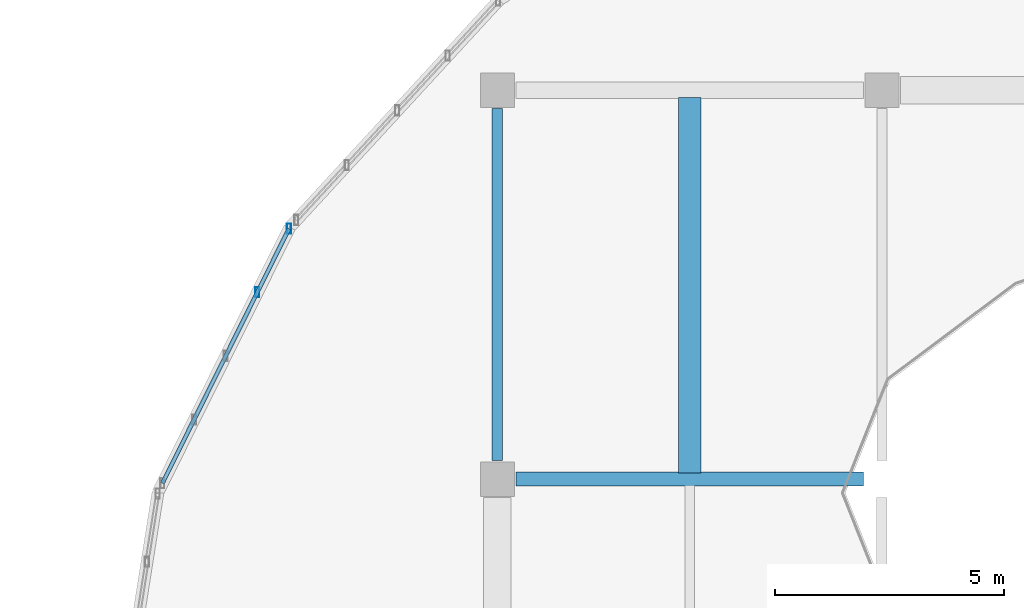
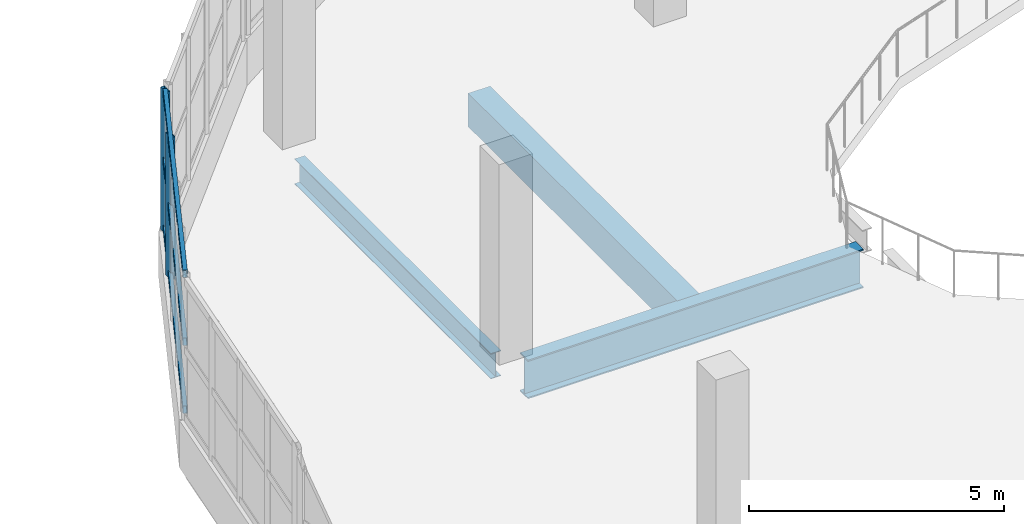
# One storey, part 16 of 117: 5 members, 3 beams, 1 element without a shape of its own.
"""IFC4 building model written with IfcOpenShell, lengths in metres."""

from ifc_helpers import new_model, si_unit, direction, frame, origin, origin_2d, place, context, subcontext, project, spatial, rectangle, hollow_rectangle, i_section, extrude, material, material_profile, profile_set, type_object, element, aggregate, save


model = new_model("IFC4")

# Units and contexts
model_context = context("Model", 3, precision=1e-05, world=origin(), true_north=direction((0.0, 1.0)))
body_context = subcontext(model_context, "Body", "Model", "MODEL_VIEW")
ifc_project = project(units=[si_unit("LENGTHUNIT", "METRE"), si_unit("AREAUNIT", "SQUARE_METRE"), si_unit("VOLUMEUNIT", "CUBIC_METRE"), si_unit("PLANEANGLEUNIT", "RADIAN"), si_unit("MASSUNIT", "GRAM", prefix="KILO")], contexts=[model_context])

# Site, building, storey
site_placement = place(None, origin())
site = spatial("IfcSite", under=ifc_project, at=site_placement, CompositionType="ELEMENT")
building_placement = place(site_placement, origin())
building = spatial("IfcBuilding", under=site, at=building_placement, Name="Solvento Point Concert Hall", CompositionType="ELEMENT")
storey_placement = place(building_placement, frame((0.0, 0.0, 5.39990234375)))
storey = spatial("IfcBuildingStorey", under=building, at=storey_placement, Name="L01", CompositionType="ELEMENT", Elevation=5.39990234375)

# Beams
ifc_material_1 = material(Name="Concrete C35/45", Category="concrete")
ifc_material_profile_1 = material_profile(ifc_material_1, rectangle(XDim=0.5, YDim=0.800048828125, at=origin_2d()), Name="RC-BM-500X800")
ifc_profile_set_1 = profile_set([ifc_material_profile_1], Name="Concrete C35/45")
beam_type_1 = type_object("IfcBeamType", Name="Beam_RC_500x800", PredefinedType="BEAM", material=ifc_profile_set_1)
beam_1_placement = place(storey_placement, frame((45.0, 42.638916015625, -0.683837890625), z_axis=(0.0, 1.0, 0.0), x_axis=(-1.0, 0.0, 0.0)))
element("IfcBeam", 1, at=beam_1_placement, inside=storey, type_object=beam_type_1, Name="Secondary floor joist B-63 L01", PredefinedType="BEAM", context=body_context, shape_type="SweptSolid", body=[
    extrude(rectangle(XDim=0.5, YDim=0.800048828125, at=origin_2d()), origin(), (0.0, 0.0, 1.0), 8.195556640625),
])
ifc_material_2 = material(Name="Structural Steel ASTM A992 Grade 50", Category="steel")
ifc_material_profile_2 = material_profile(ifc_material_2, i_section(OverallWidth=0.228515625, OverallDepth=0.60791015625, WebThickness=0.01123046875, FlangeThickness=0.017333984375, at=origin_2d()), Name="W24X76")
ifc_profile_set_2 = profile_set([ifc_material_profile_2], Name="Structural Steel ASTM A992 Grade 50")
beam_type_2 = type_object("IfcBeamType", Name="Beam_W24X76", PredefinedType="BEAM", material=ifc_profile_set_2)
beam_2_placement = place(storey_placement, frame((40.800048828125, 42.904052734375, -0.587890625), z_axis=(0.0, 1.0, 0.0), x_axis=(-1.0, 0.0, 0.0)))
element("IfcBeam", 2, at=beam_2_placement, inside=storey, type_object=beam_type_2, Name="Primary girder B-42 L01", PredefinedType="BEAM", context=body_context, shape_type="SweptSolid", body=[
    extrude(i_section(OverallWidth=0.228515625, OverallDepth=0.60791015625, WebThickness=0.01123046875, FlangeThickness=0.017333984375, at=origin_2d()), origin(), (0.0, 0.0, 1.0), 7.69189453125),
])
ifc_material_3 = material(Name="Structural Steel ASTM A992 Grade 50", Category="steel")
ifc_material_profile_3 = material_profile(ifc_material_3, i_section(OverallWidth=0.3076171875, OverallDepth=0.927001953125, WebThickness=0.019287109375, FlangeThickness=0.031982421875, at=origin_2d()), Name="W36X194")
ifc_profile_set_3 = profile_set([ifc_material_profile_3], Name="Structural Steel ASTM A992 Grade 50")
beam_type_3 = type_object("IfcBeamType", Name="Girder_W36X194", PredefinedType="USERDEFINED", material=ifc_profile_set_3)
beam_3_placement = place(storey_placement, frame((41.2041015625, 42.5, -0.747314453125), z_axis=(1.0, 0.0, 0.0), x_axis=(0.0, 1.0, 0.0)))
element("IfcBeam", 3, at=beam_3_placement, inside=storey, type_object=beam_type_3, Name="Primary girder B-61 L01", ObjectType="GIRDER", PredefinedType="USERDEFINED", context=body_context, shape_type="SweptSolid", body=[
    extrude(i_section(OverallWidth=0.3076171875, OverallDepth=0.927001953125, WebThickness=0.019287109375, FlangeThickness=0.031982421875, at=origin_2d()), origin(), (0.0, 0.0, 1.0), 7.591796875),
])

# Curtain wall, members
ifc_material_4 = material(Name="Anodized Bronze Aluminium", Category="aluminium")
curtain_wall_type = type_object("IfcCurtainWallType", Name="CurtainWall_RingRibbon_L01_02", PredefinedType="USERDEFINED", material=ifc_material_4)
curtain_wall_placement = place(storey_placement, origin())
curtain_wall = element("IfcCurtainWall", 4, at=curtain_wall_placement, inside=storey, type_object=curtain_wall_type, Name="Unitised curtain wall CW-59 UCW-L01-099", ObjectType="UNITISED CURTAIN WALL", PredefinedType="USERDEFINED")
ifc_material_5 = material(Name="Anodized Bronze Aluminium", Category="aluminium")
ifc_material_profile_4 = material_profile(ifc_material_5, hollow_rectangle(XDim=0.090087890625, YDim=0.219970703125, WallThickness=0.00439453125, at=origin_2d()), Name="CW-MUL-90X220")
ifc_profile_set_4 = profile_set([ifc_material_profile_4], Name="Anodized Bronze Aluminium")
member_type_1 = type_object("IfcMemberType", Name="Mullion_90x220", PredefinedType="MULLION", material=ifc_profile_set_4)
member_1_placement = place(storey_placement, frame((35.5537109375, 46.58203125, 1.1201171875), z_axis=(0.0, 0.0, 1.0), x_axis=(1.0, 0.0, 0.0)))
member_1 = element("IfcMember", 5, at=member_1_placement, type_object=member_type_1, Name="Curtain wall mullion ML-02", PredefinedType="MULLION", context=body_context, shape_type="SweptSolid", body=[
    extrude(hollow_rectangle(XDim=0.090087890625, YDim=0.219970703125, WallThickness=0.00439453125, at=origin_2d()), origin(), (0.0, 0.0, 1.0), 3.409912109375),
])
member_2_placement = place(storey_placement, frame((36.2451171875, 47.97314453125, 1.1201171875), z_axis=(0.0, 0.0, 1.0), x_axis=(1.0, 0.0, 0.0)))
member_2 = element("IfcMember", 6, at=member_2_placement, type_object=member_type_1, Name="Curtain wall mullion ML-02", PredefinedType="MULLION", context=body_context, shape_type="SweptSolid", body=[
    extrude(hollow_rectangle(XDim=0.090087890625, YDim=0.219970703125, WallThickness=0.00439453125, at=origin_2d()), origin(), (0.0, 0.0, 1.0), 3.409912109375),
])
ifc_material_6 = material(Name="Anodized Bronze Aluminium", Category="aluminium")
ifc_material_profile_5 = material_profile(ifc_material_6, hollow_rectangle(XDim=0.090087890625, YDim=0.179931640625, WallThickness=0.00439453125, at=origin_2d()), Name="CW-TRN-90X180")
ifc_profile_set_5 = profile_set([ifc_material_profile_5], Name="Anodized Bronze Aluminium")
member_type_2 = type_object("IfcMemberType", Name="Transom_90x180", PredefinedType="USERDEFINED", material=ifc_profile_set_5)
member_3_placement = place(storey_placement, frame((33.479248046875, 42.40869140625, 1.2001953125), z_axis=(0.445106459014, 0.895477660327, 0.0), x_axis=(-0.895477660327, 0.445106459014, 0.0)))
member_3 = element("IfcMember", 7, at=member_3_placement, type_object=member_type_2, Name="Curtain wall transom TR-02", ObjectType="TRANSOM", PredefinedType="USERDEFINED", context=body_context, shape_type="SweptSolid", body=[
    extrude(hollow_rectangle(XDim=0.090087890625, YDim=0.179931640625, WallThickness=0.00439453125, at=origin_2d()), origin(), (0.0, 0.0, 1.0), 6.2138671875),
])
member_4_placement = place(storey_placement, frame((33.479248046875, 42.40869140625, 2.8251953125), z_axis=(0.445106459014, 0.895477660327, 0.0), x_axis=(-0.895477660327, 0.445106459014, 0.0)))
member_4 = element("IfcMember", 8, at=member_4_placement, type_object=member_type_2, Name="Curtain wall transom TR-02", ObjectType="TRANSOM", PredefinedType="USERDEFINED", context=body_context, shape_type="SweptSolid", body=[
    extrude(hollow_rectangle(XDim=0.090087890625, YDim=0.179931640625, WallThickness=0.00439453125, at=origin_2d()), origin(), (0.0, 0.0, 1.0), 6.2138671875),
])
member_5_placement = place(storey_placement, frame((33.479248046875, 42.40869140625, 4.4501953125), z_axis=(0.445106459014, 0.895477660327, 0.0), x_axis=(-0.895477660327, 0.445106459014, 0.0)))
member_5 = element("IfcMember", 9, at=member_5_placement, type_object=member_type_2, Name="Curtain wall transom TR-02", ObjectType="TRANSOM", PredefinedType="USERDEFINED", context=body_context, shape_type="SweptSolid", body=[
    extrude(hollow_rectangle(XDim=0.090087890625, YDim=0.179931640625, WallThickness=0.00439453125, at=origin_2d()), origin(), (0.0, 0.0, 1.0), 6.2138671875),
])
aggregate(curtain_wall, [member_1, member_2, member_3, member_4, member_5])

save(model, "model.ifc")
